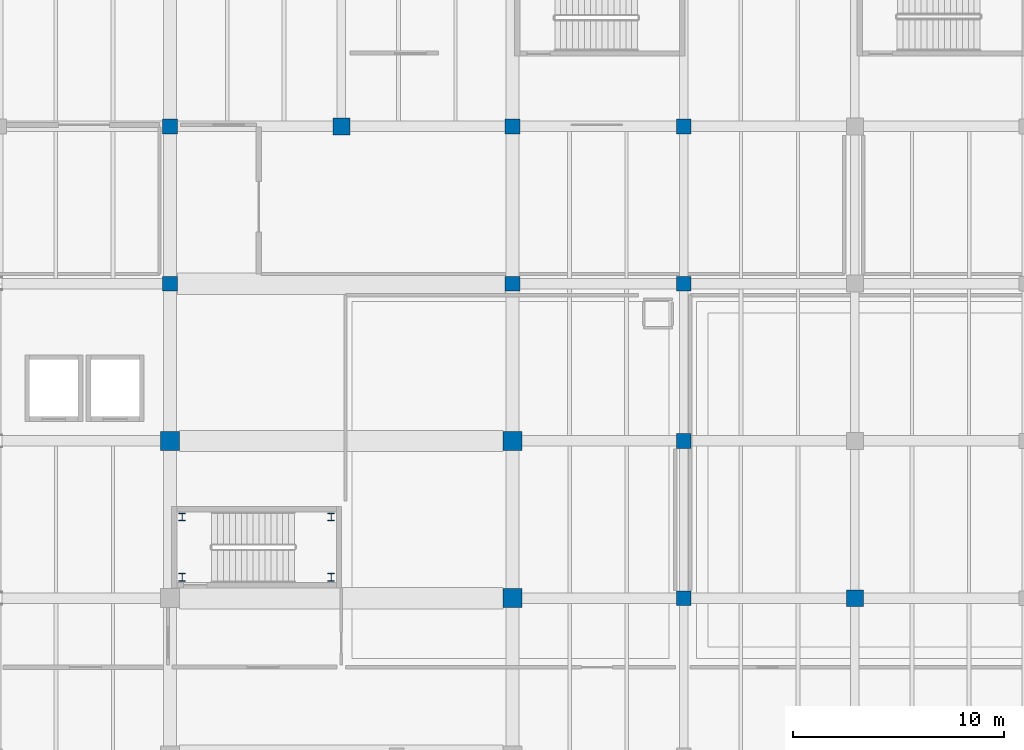
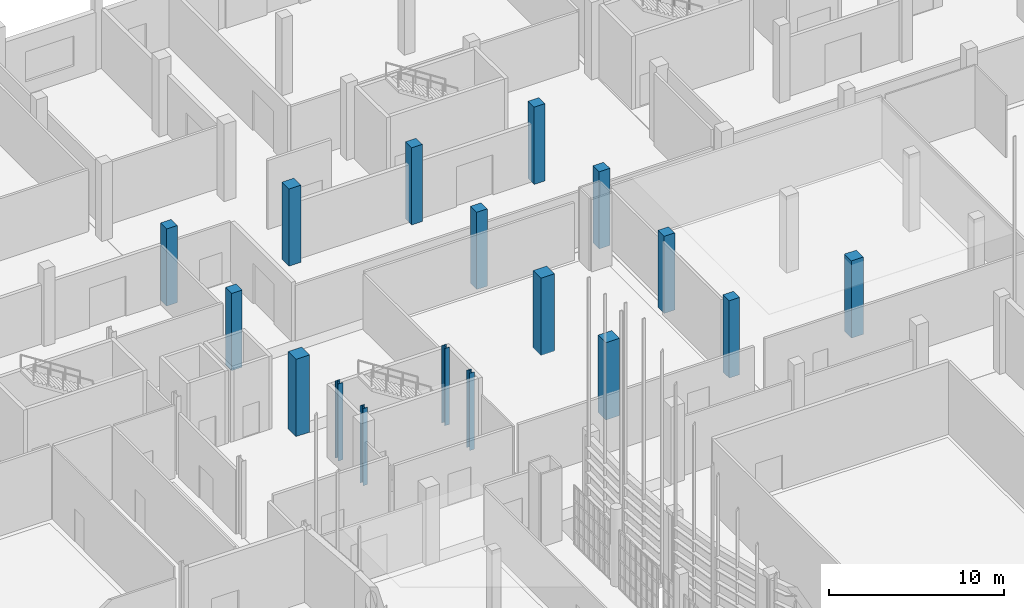
# One storey, part 10 of 372: 17 columns.
"""IFC4 building model written with IfcOpenShell, lengths in metres."""

from ifc_helpers import new_model, si_unit, direction, frame, origin, origin_2d, place, context, subcontext, project, spatial, rectangle, i_section, extrude, material, material_profile, profile_set, type_object, element, save


model = new_model("IFC4")

# Units and contexts
model_context = context("Model", 3, precision=1e-05, world=origin(), true_north=direction((0.0, 1.0)))
body_context = subcontext(model_context, "Body", "Model", "MODEL_VIEW")
ifc_project = project(units=[si_unit("LENGTHUNIT", "METRE"), si_unit("AREAUNIT", "SQUARE_METRE"), si_unit("VOLUMEUNIT", "CUBIC_METRE"), si_unit("PLANEANGLEUNIT", "RADIAN"), si_unit("MASSUNIT", "GRAM", prefix="KILO")], contexts=[model_context])

# Site, building, storey
site_placement = place(None, origin())
site = spatial("IfcSite", under=ifc_project, at=site_placement, CompositionType="ELEMENT")
building_placement = place(site_placement, origin())
building = spatial("IfcBuilding", under=site, at=building_placement, Name="Kaelora Sail Theatre", CompositionType="ELEMENT")
storey_placement = place(building_placement, origin())
storey = spatial("IfcBuildingStorey", under=building, at=storey_placement, Name="L00", CompositionType="ELEMENT", Elevation=0.0)

# Columns
ifc_material_1 = material(Name="Steel S355", Category="steel")
ifc_material_profile_1 = material_profile(ifc_material_1, i_section(OverallWidth=0.300048828125, OverallDepth=0.360107421875, WebThickness=0.012451171875, FlangeThickness=0.0224609375, FilletRadius=0.027099609375, at=origin_2d()), Name="HEB 360")
ifc_profile_set_1 = profile_set([ifc_material_profile_1], Name="Steel S355")
column_type_1 = type_object("IfcColumnType", Name="STR-COL-C-HEB360", PredefinedType="COLUMN", material=ifc_profile_set_1)
for number, where, z_axis, x_axis, name in (
    (1, (66.8701171875, 69.449951171875, 0.0), (0.0, 0.0, 1.0), (1.0, 0.0, 0.0), "Feature stair ST-F1 support column SW (L00)"),
    (2, (66.8701171875, 72.300048828125, 0.0), (0.0, 0.0, 1.0), (1.0, 0.0, 0.0), "Feature stair ST-F1 support column NW (L00)"),
    (3, (73.919921875, 69.449951171875, 0.0), (0.0, 0.0, 1.0), (1.0, 0.0, 0.0), "Feature stair ST-F1 support column SE (L00)"),
    (4, (73.919921875, 72.300048828125, 0.0), (0.0, 0.0, 1.0), (1.0, 0.0, 0.0), "Feature stair ST-F1 support column NE (L00)"),
):
    element("IfcColumn", number, at=place(storey_placement, frame(where, z_axis=z_axis, x_axis=x_axis)), inside=storey, type_object=column_type_1, Name=name, PredefinedType="COLUMN", context=body_context, shape_type="SweptSolid", body=[
        extrude(i_section(OverallWidth=0.300048828125, OverallDepth=0.360107421875, WebThickness=0.012451171875, FlangeThickness=0.0224609375, FilletRadius=0.027099609375, at=origin_2d()), origin(), (0.0, 0.0, 1.0), 5.39990234375),
    ])
ifc_material_2 = material(Name="Concrete C45/55", Category="concrete")
ifc_material_profile_2 = material_profile(ifc_material_2, rectangle(XDim=0.699951171875, YDim=0.699951171875, at=origin_2d()), Name="RC-COL 700x700")
ifc_profile_set_2 = profile_set([ifc_material_profile_2], Name="Concrete C45/55")
column_type_2 = type_object("IfcColumnType", Name="STR-COL-C-RC700", PredefinedType="COLUMN", material=ifc_profile_set_2)
for number, where, z_axis, x_axis, name in (
    (5, (66.300048828125, 83.340087890625, 0.0), (0.0, 0.0, 1.0), (1.0, 0.0, 0.0), "Column 9/L (L00)"),
    (6, (66.300048828125, 90.780029296875, 0.0), (0.0, 0.0, 1.0), (1.0, 0.0, 0.0), "Column 9/M (L00)"),
    (7, (82.5, 83.340087890625, 0.0), (0.0, 0.0, 1.0), (1.0, 0.0, 0.0), "Column 11/L (L00)"),
    (8, (82.5, 90.780029296875, 0.0), (0.0, 0.0, 1.0), (1.0, 0.0, 0.0), "Column 11/M (L00)"),
    (9, (90.60009765625, 68.4599609375, 0.0), (0.0, 0.0, 1.0), (1.0, 0.0, 0.0), "Column 12/J (L00)"),
    (10, (90.60009765625, 75.89990234375, 0.0), (0.0, 0.0, 1.0), (1.0, 0.0, 0.0), "Column 12/K (L00)"),
    (11, (90.60009765625, 83.340087890625, 0.0), (0.0, 0.0, 1.0), (1.0, 0.0, 0.0), "Column 12/L (L00)"),
    (12, (90.60009765625, 90.780029296875, 0.0), (0.0, 0.0, 1.0), (1.0, 0.0, 0.0), "Column 12/M (L00)"),
):
    element("IfcColumn", number, at=place(storey_placement, frame(where, z_axis=z_axis, x_axis=x_axis)), inside=storey, type_object=column_type_2, Name=name, PredefinedType="COLUMN", context=body_context, shape_type="SweptSolid", body=[
        extrude(rectangle(XDim=0.699951171875, YDim=0.699951171875, at=origin_2d()), origin(), (0.0, 0.0, 1.0), 5.39990234375),
    ])
ifc_material_3 = material(Name="Concrete C50/60", Category="concrete")
ifc_material_profile_3 = material_profile(ifc_material_3, rectangle(XDim=0.800048828125, YDim=0.800048828125, at=origin_2d()), Name="RC-COL 800x800")
ifc_profile_set_3 = profile_set([ifc_material_profile_3], Name="Concrete C50/60")
column_type_3 = type_object("IfcColumnType", Name="STR-COL-C-RC800", PredefinedType="COLUMN", material=ifc_profile_set_3)
for number, where, z_axis, x_axis, name in (
    (13, (74.39990234375, 90.780029296875, 0.0), (0.0, 0.0, 1.0), (1.0, 0.0, 0.0), "Column 10/M (L00)"),
    (14, (98.699951171875, 68.4599609375, 0.0), (0.0, 0.0, 1.0), (1.0, 0.0, 0.0), "Column 13/J (L00)"),
):
    element("IfcColumn", number, at=place(storey_placement, frame(where, z_axis=z_axis, x_axis=x_axis)), inside=storey, type_object=column_type_3, Name=name, PredefinedType="COLUMN", context=body_context, shape_type="SweptSolid", body=[
        extrude(rectangle(XDim=0.800048828125, YDim=0.800048828125, at=origin_2d()), origin(), (0.0, 0.0, 1.0), 5.39990234375),
    ])
ifc_material_4 = material(Name="Concrete C50/60", Category="concrete")
ifc_material_profile_4 = material_profile(ifc_material_4, rectangle(XDim=0.89990234375, YDim=0.89990234375, at=origin_2d()), Name="RC-COL 900x900")
ifc_profile_set_4 = profile_set([ifc_material_profile_4], Name="Concrete C50/60")
column_type_4 = type_object("IfcColumnType", Name="STR-COL-C-RC900", PredefinedType="COLUMN", material=ifc_profile_set_4)
for number, where, z_axis, x_axis, name in (
    (15, (66.300048828125, 75.89990234375, 0.0), (0.0, 0.0, 1.0), (1.0, 0.0, 0.0), "Column 9/K (L00)"),
    (16, (82.5, 68.4599609375, 0.0), (0.0, 0.0, 1.0), (1.0, 0.0, 0.0), "Column 11/J (L00)"),
    (17, (82.5, 75.89990234375, 0.0), (0.0, 0.0, 1.0), (1.0, 0.0, 0.0), "Column 11/K (L00)"),
):
    element("IfcColumn", number, at=place(storey_placement, frame(where, z_axis=z_axis, x_axis=x_axis)), inside=storey, type_object=column_type_4, Name=name, PredefinedType="COLUMN", context=body_context, shape_type="SweptSolid", body=[
        extrude(rectangle(XDim=0.89990234375, YDim=0.89990234375, at=origin_2d()), origin(), (0.0, 0.0, 1.0), 5.39990234375),
    ])

save(model, "model.ifc")
